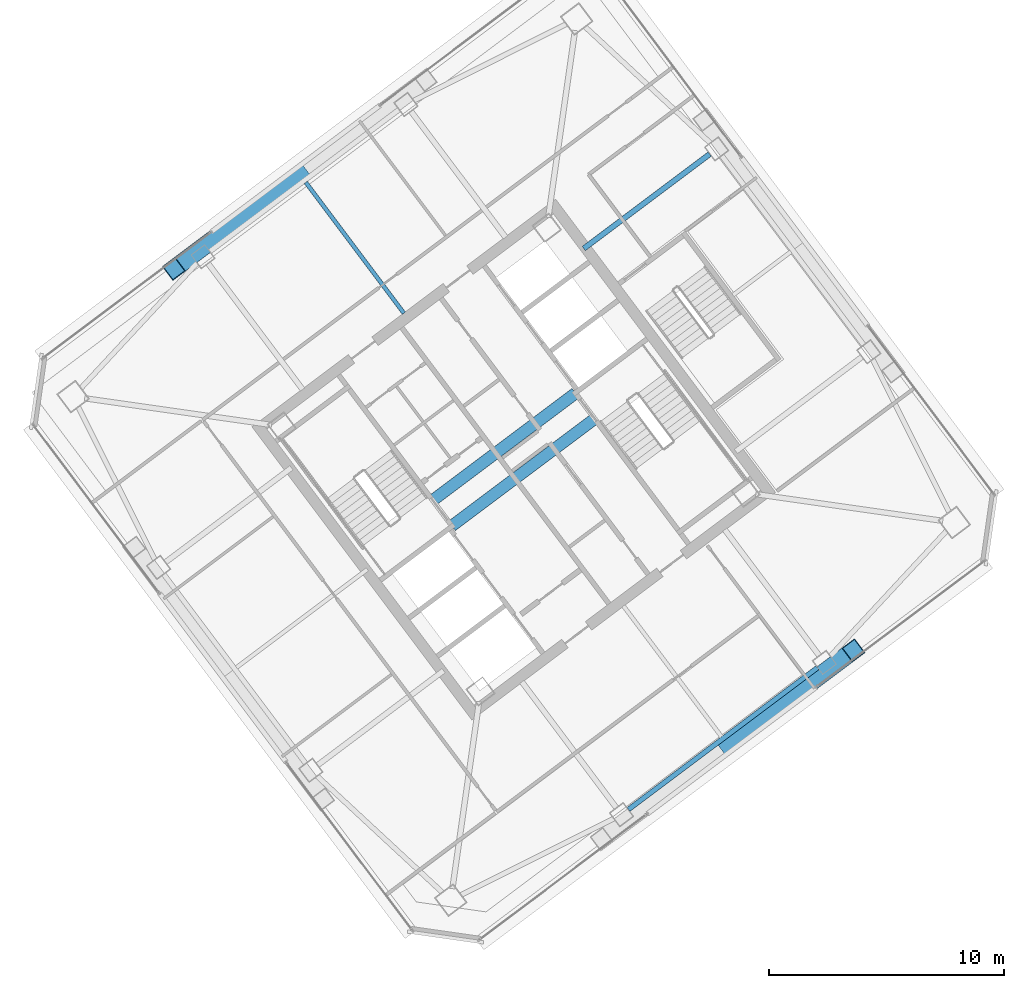
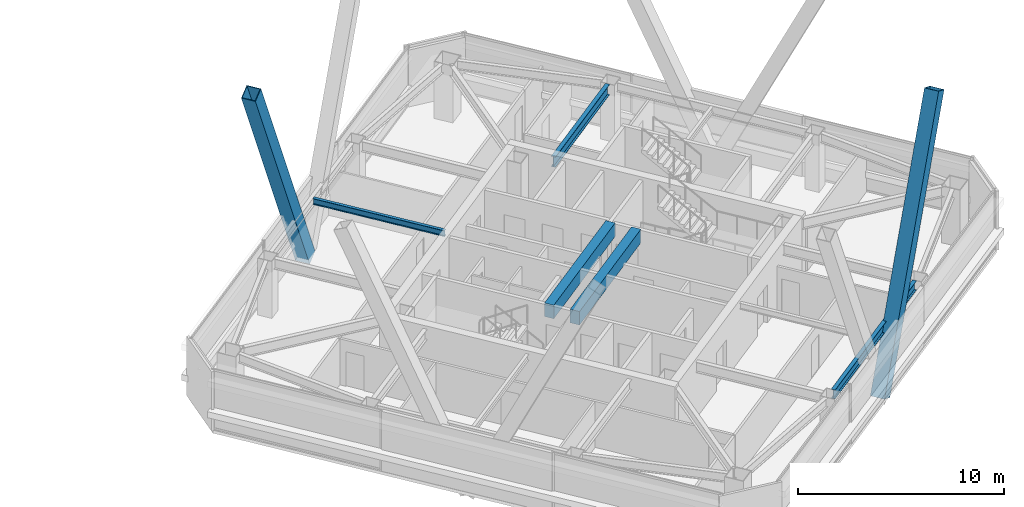
# One storey, part 26 of 47: 5 beams, 2 members.
"""IFC4 building model written with IfcOpenShell, lengths in metres."""

from ifc_helpers import new_model, si_unit, direction, frame, origin, origin_2d, place, context, subcontext, project, spatial, rectangle, hollow_rectangle, i_section, extrude, material, material_profile, profile_set, type_object, element, save


model = new_model("IFC4")

# Units and contexts
model_context = context("Model", 3, precision=1e-05, world=origin(), true_north=direction((0.0, 1.0)))
body_context = subcontext(model_context, "Body", "Model", "MODEL_VIEW")
ifc_project = project(units=[si_unit("LENGTHUNIT", "METRE"), si_unit("AREAUNIT", "SQUARE_METRE"), si_unit("VOLUMEUNIT", "CUBIC_METRE"), si_unit("PLANEANGLEUNIT", "RADIAN"), si_unit("MASSUNIT", "GRAM", prefix="KILO")], contexts=[model_context])

# Site, building, storey
site_placement = place(None, origin())
site = spatial("IfcSite", under=ifc_project, at=site_placement, CompositionType="ELEMENT")
building_placement = place(site_placement, origin())
building = spatial("IfcBuilding", under=site, at=building_placement, Name="Tashvorn Skyway Center", CompositionType="ELEMENT")
storey_placement = place(building_placement, frame((0.0, 0.0, 204.199951171875)))
storey = spatial("IfcBuildingStorey", under=building, at=storey_placement, Name="L55", CompositionType="ELEMENT", Elevation=204.199951171875)

# Beams
ifc_material_1 = material(Name="Steel ASTM A992 Grade 50", Category="steel")
ifc_material_profile_1 = material_profile(ifc_material_1, i_section(OverallWidth=0.22998046875, OverallDepth=0.616943359375, WebThickness=0.01318359375, FlangeThickness=0.022216796875, at=origin_2d()), Name="W24X94")
ifc_profile_set_1 = profile_set([ifc_material_profile_1], Name="Steel ASTM A992 Grade 50")
beam_type_1 = type_object("IfcBeamType", Name="BM-BEAM-W24X94", PredefinedType="BEAM", material=ifc_profile_set_1)
beam_1_placement = place(storey_placement, frame((122.343994140625, 45.008056640625, 3.0615234375), z_axis=(-0.800004372583, -0.599994169845, 0.0), x_axis=(0.599994169845, -0.800004372583, 0.0)))
element("IfcBeam", 1, at=beam_1_placement, inside=storey, type_object=beam_type_1, Name="Tower 2 L55 Primary Floor Girder FC-E2", PredefinedType="BEAM", context=body_context, shape_type="SweptSolid", body=[
    extrude(i_section(OverallWidth=0.22998046875, OverallDepth=0.616943359375, WebThickness=0.01318359375, FlangeThickness=0.022216796875, at=origin_2d()), origin(), (0.0, 0.0, 1.0), 6.7001953125),
])
ifc_material_profile_2 = material_profile(ifc_material_1, i_section(OverallWidth=0.1708984375, OverallDepth=0.35498046875, WebThickness=0.007080078125, FlangeThickness=0.01171875, at=origin_2d()), Name="W14X34")
ifc_profile_set_2 = profile_set([ifc_material_profile_2], Name="Steel ASTM A992 Grade 50")
beam_type_2 = type_object("IfcBeamType", Name="BM-JOIST-W14X34", PredefinedType="JOIST", material=ifc_profile_set_2)
beam_2_placement = place(storey_placement, frame((109.325927734375, 38.23193359375, 3.192626953125), z_axis=(-0.599994389612, 0.800004207761, 0.0), x_axis=(-0.800004207761, -0.599994389612, 0.0)))
element("IfcBeam", 2, at=beam_2_placement, inside=storey, type_object=beam_type_2, Name="Tower 2 L55 Secondary Composite Joist JN", PredefinedType="JOIST", context=body_context, shape_type="SweptSolid", body=[
    extrude(i_section(OverallWidth=0.1708984375, OverallDepth=0.35498046875, WebThickness=0.007080078125, FlangeThickness=0.01171875, at=origin_2d()), origin(), (0.0, 0.0, 1.0), 6.962646484375),
])
ifc_material_2 = material(Name="Concrete C50/60", Category="concrete")
ifc_material_profile_3 = material_profile(ifc_material_2, rectangle(XDim=0.5, YDim=0.800048828125, at=origin_2d()), Name="RCB500x800")
ifc_profile_set_3 = profile_set([ifc_material_profile_3], Name="Concrete C50/60")
beam_type_3 = type_object("IfcBeamType", Name="BM-LINTEL-RCB500x800", PredefinedType="LINTEL", material=ifc_profile_set_3)
for number, where, z_axis, x_axis, name in (
    (3, (110.552001953125, 30.263916015625, 2.969970703125), (0.8, 0.6, 0.0), (-0.6, 0.8, 0.0), "Tower 2 L55 Core Coupling Beam CN"),
    (4, (111.367919921875, 29.176025390625, 2.969970703125), (0.8, 0.6, 0.0), (-0.6, 0.8, 0.0), "Tower 2 L55 Core Coupling Beam CS"),
):
    element("IfcBeam", number, at=place(storey_placement, frame(where, z_axis=z_axis, x_axis=x_axis)), inside=storey, type_object=beam_type_3, Name=name, PredefinedType="LINTEL", context=body_context, shape_type="SweptSolid", body=[
        extrude(rectangle(XDim=0.5, YDim=0.800048828125, at=origin_2d()), origin(), (0.0, 0.0, 1.0), 7.60009765625),
    ])
ifc_material_profile_4 = material_profile(ifc_material_1, i_section(OverallWidth=0.2109375, OverallDepth=0.5390625, WebThickness=0.01171875, FlangeThickness=0.018798828125, at=origin_2d()), Name="W21X73")
ifc_profile_set_4 = profile_set([ifc_material_profile_4], Name="Steel ASTM A992 Grade 50")
beam_type_4 = type_object("IfcBeamType", Name="BM-SPANDREL-W21X73", PredefinedType="SPANDREL", material=ifc_profile_set_4)
beam_3_placement = place(storey_placement, frame((118.885986328125, 17.10205078125, 3.1005859375), z_axis=(0.800008736549, 0.599988351091, 0.0), x_axis=(-0.599988351091, 0.800008736549, 0.0)))
element("IfcBeam", 5, at=beam_3_placement, inside=storey, type_object=beam_type_4, Name="Tower 2 L55 Spandrel Beam 02", PredefinedType="SPANDREL", context=body_context, shape_type="SweptSolid", body=[
    extrude(i_section(OverallWidth=0.2109375, OverallDepth=0.5390625, WebThickness=0.01171875, FlangeThickness=0.018798828125, at=origin_2d()), origin(), (0.0, 0.0, 1.0), 10.06005859375),
])

# Members
ifc_material_3 = material(Name="Steel ASTM A572 Grade 50", Category="steel")
ifc_material_profile_5 = material_profile(ifc_material_3, hollow_rectangle(XDim=0.75, YDim=0.75, WallThickness=0.031982421875, at=origin_2d()), Name="BOX750x750x32")
ifc_profile_set_5 = profile_set([ifc_material_profile_5], Name="Steel ASTM A572 Grade 50")
member_type = type_object("IfcMemberType", Name="MEM-MB-750", PredefinedType="BRACE", material=ifc_profile_set_5)
for number, where, z_axis, x_axis, name in (
    (6, (123.10791015625, 19.85595703125, -0.199951171875), (0.346359882315, 0.259765967761, 0.901419144414), (-0.599994169845, 0.800004372583, 0.0), "Tower 2 Zone 5 S Chevron Mega-Brace R1"),
    (7, (104.89208984375, 44.14404296875, -0.199951171875), (-0.346359882315, -0.259765967761, 0.901419144414), (0.599994169845, -0.800004372583, 0.0), "Tower 2 Zone 5 N Chevron Mega-Brace R1"),
):
    element("IfcMember", number, at=place(storey_placement, frame(where, z_axis=z_axis, x_axis=x_axis)), inside=storey, type_object=member_type, Name=name, PredefinedType="BRACE", context=body_context, shape_type="SweptSolid", body=[
        extrude(hollow_rectangle(XDim=0.75, YDim=0.75, WallThickness=0.031982421875, at=origin_2d()), origin(), (0.0, 0.0, 1.0), 15.4755859375),
    ])

save(model, "model.ifc")
